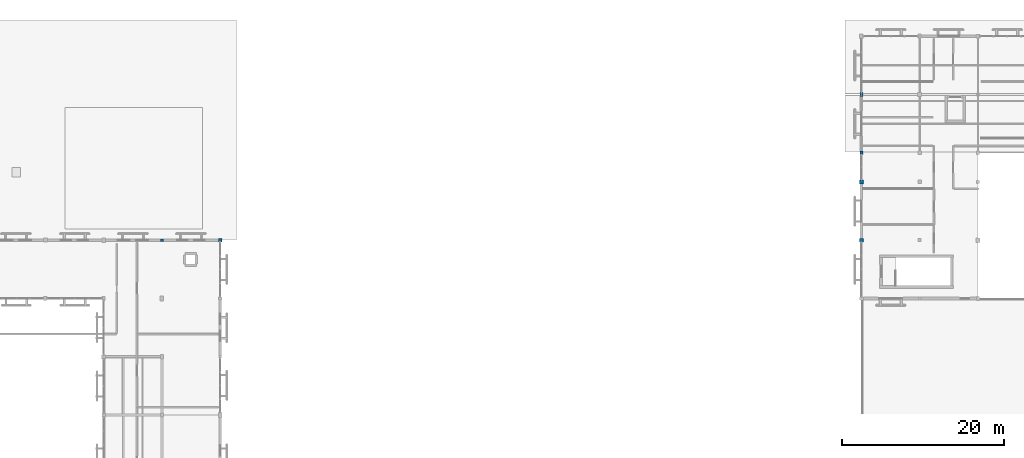
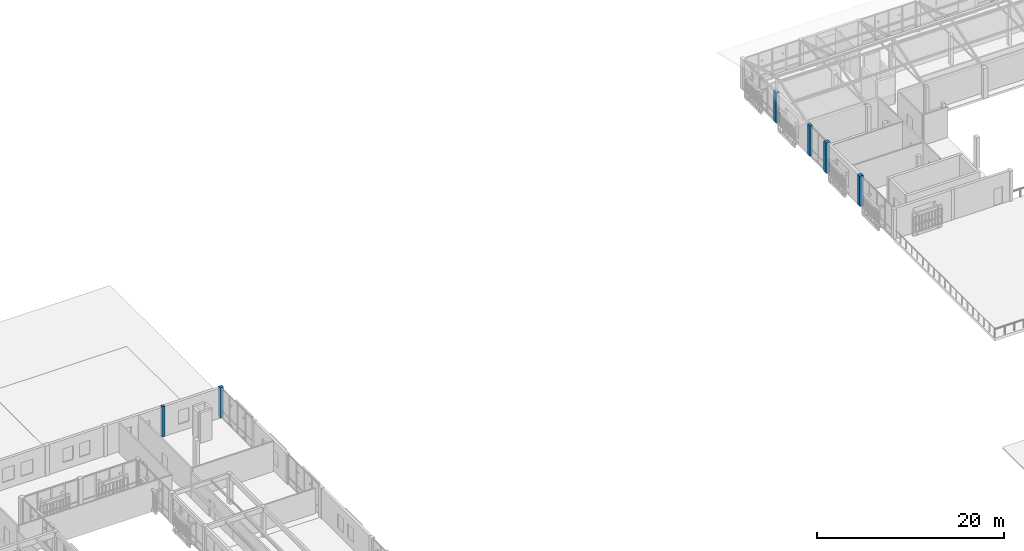
# One storey, part 3 of 61: 6 columns.
"""IFC4 building model written with IfcOpenShell, lengths in metres."""

import ifcopenshell
import ifcopenshell.guid

model = None  # the IFC model being written
_history = None  # IfcOwnerHistory: only IFC2X3 demands one
_inside = {}  # id of a spatial element -> (the spatial element, [elements in it])
_under = {}  # id of a project, library or spatial element -> (it, [spatial elements below it])
_declared = {}  # id of a project -> (the project, [libraries it declares])
_typed = {}  # id of a type object -> (the type object, [elements of that type])
_made_of = {}  # id of a material, layer set ... -> (it, [elements and type objects made of it])


def new_model(schema):
    """Start an empty IFC model of exactly this schema.

    Asked for "IFC4X3", IfcOpenShell would pick the latest addendum, in which some entities
    have other attributes; the version numbers below select the first issue.
    IFC2X3 requires an IfcOwnerHistory on every rooted entity: one is made here for all.
    """
    global model, _history
    if schema == "IFC4X3":
        model = ifcopenshell.file(schema_version=(4, 3, 0, 0))
    else:
        model = ifcopenshell.file(schema=schema)
    _inside.clear()
    _under.clear()
    _declared.clear()
    _typed.clear()
    _made_of.clear()
    _history = None
    if model.schema == "IFC2X3":
        org = make("IfcOrganization", Name="unknown")
        user = make(
            "IfcPersonAndOrganization",
            ThePerson=make("IfcPerson", FamilyName="unknown"),
            TheOrganization=org,
        )
        app = make(
            "IfcApplication",
            ApplicationDeveloper=org,
            Version="unknown",
            ApplicationFullName="unknown",
            ApplicationIdentifier="unknown",
        )
        _history = make(
            "IfcOwnerHistory",
            OwningUser=user,
            OwningApplication=app,
            ChangeAction="ADDED",
            CreationDate=0,
        )
    return model


def make(cls, **values):
    """One entity of the class cls with the attributes given. An attribute that is None is left unset."""
    return model.create_entity(
        cls, **{name: value for name, value in values.items() if value is not None}
    )


def rooted(cls, **values):
    """An entity with a GlobalId (a new one), such as an element, a storey or a relation."""
    return make(cls, GlobalId=ifcopenshell.guid.new(), OwnerHistory=_history, **values)


def si_unit(unit_type, name, prefix=None):
    """IfcSIUnit, for example si_unit("LENGTHUNIT", "METRE", prefix="MILLI")."""
    return make("IfcSIUnit", UnitType=unit_type, Prefix=prefix, Name=name)


def assignment(units):
    """IfcUnitAssignment: the units of a project."""
    return None if units is None else make("IfcUnitAssignment", Units=units)


def point(xyz):
    """IfcCartesianPoint."""
    return None if xyz is None else make("IfcCartesianPoint", Coordinates=xyz)


def direction(xyz):
    """IfcDirection."""
    return None if xyz is None else make("IfcDirection", DirectionRatios=xyz)


def frame(location, z_axis=None, x_axis=None):
    """IfcAxis2Placement3D, a coordinate frame: its origin and axes. An axis left out is left unset."""
    return make(
        "IfcAxis2Placement3D",
        Location=point(location),
        Axis=direction(z_axis),
        RefDirection=direction(x_axis),
    )


def frame_2d(location, x_axis=None):
    """IfcAxis2Placement2D, a coordinate frame in the plane: its origin and x axis."""
    return make(
        "IfcAxis2Placement2D", Location=point(location), RefDirection=direction(x_axis)
    )


def origin():
    """The frame at (0, 0, 0) with its axes left unset."""
    return frame((0.0, 0.0, 0.0))


def origin_2d():
    """The frame at (0, 0) in the plane with its x axis left unset."""
    return frame_2d((0.0, 0.0))


def place(relative_to, where):
    """IfcLocalPlacement: puts the frame where relative to a parent placement (None: the world)."""
    return make(
        "IfcLocalPlacement", PlacementRelTo=relative_to, RelativePlacement=where
    )


def context(
    kind, dimensions, precision=None, world=None, true_north=None, identifier=None
):
    """IfcGeometricRepresentationContext, for example the 3D "Model" context."""
    return make(
        "IfcGeometricRepresentationContext",
        ContextIdentifier=identifier,
        ContextType=kind,
        CoordinateSpaceDimension=dimensions,
        Precision=precision,
        WorldCoordinateSystem=world,
        TrueNorth=true_north,
    )


def subcontext(parent, identifier, kind, view, scale=None):
    """IfcGeometricRepresentationSubContext, for example "Body" below "Model"."""
    return make(
        "IfcGeometricRepresentationSubContext",
        ContextIdentifier=identifier,
        ContextType=kind,
        ParentContext=parent,
        TargetScale=scale,
        TargetView=view,
    )


def project(units=None, contexts=None):
    """IfcProject with its units and contexts."""
    return rooted(
        "IfcProject",
        Name="project",
        RepresentationContexts=contexts,
        UnitsInContext=assignment(units),
    )


def spatial(cls, under=None, at=None, **own):
    """A site, building, storey or space (cls), placed at a placement, below another one or the project."""
    s = rooted(cls, ObjectPlacement=at, **own)
    if under is not None:
        _under.setdefault(under.id(), (under, []))[1].append(s)
    return s


def profile(cls, at=None, kind="AREA", **sizes):
    """A parametric profile (cls). Its sizes go by their IFC names, for example OverallWidth=200.0."""
    return make(cls, ProfileType=kind, Position=at, **sizes)


def rectangle(**sizes):
    """IfcRectangleProfileDef."""
    return profile("IfcRectangleProfileDef", **sizes)


def extrude(swept, where, along, depth):
    """IfcExtrudedAreaSolid: the profile swept, set in the frame where, extruded along a direction by depth."""
    return make(
        "IfcExtrudedAreaSolid",
        SweptArea=swept,
        Position=where,
        ExtrudedDirection=direction(along),
        Depth=depth,
    )


def shape(context_of_items, identifier, shape_type, items):
    """IfcShapeRepresentation: the items that make up one representation, for example the "Body"."""
    return make(
        "IfcShapeRepresentation",
        ContextOfItems=context_of_items,
        RepresentationIdentifier=identifier,
        RepresentationType=shape_type,
        Items=items,
    )


def material(Name=None, Category=None):
    """IfcMaterial."""
    return make("IfcMaterial", Name=Name, Category=Category)


def material_profile(
    of_material, cross_section, Name=None, Category=None, Priority=None
):
    """IfcMaterialProfile: a cross section and its material."""
    return make(
        "IfcMaterialProfile",
        Name=Name,
        Material=of_material,
        Profile=cross_section,
        Priority=Priority,
        Category=Category,
    )


def profile_set(profiles, Name=None, composite=None):
    """IfcMaterialProfileSet."""
    return make(
        "IfcMaterialProfileSet",
        Name=Name,
        MaterialProfiles=profiles,
        CompositeProfile=composite,
    )


def made_of(thing, what):
    """Note that an element or type object is made of a material, layer set ...; save() writes the relation."""
    if what is not None:
        _made_of.setdefault(what.id(), (what, []))[1].append(thing)
    return thing


def type_object(cls, material=None, **own):
    """A type object (cls), such as IfcWallType, which elements share."""
    return made_of(rooted(cls, **own), material)


def element(
    cls,
    number,
    at=None,
    inside=None,
    cuts=None,
    type_object=None,
    material=None,
    context=None,
    identifier="Body",
    shape_type=None,
    held_by="IfcProductDefinitionShape",
    body=None,
    shapes=None,
    **own,
):
    """One element of the class cls, such as IfcWall. Its Tag is "e" and its number.

    at: its placement. inside: the storey or other place that contains it. cuts: it is an
    opening in that element (IfcRelVoidsElement). A single representation is given by context,
    identifier, shape_type and body (its items); several are given by shapes. held_by: the class
    of the entity that holds the representations. save() writes the other relations.
    """
    e = rooted(cls, Tag="e%d" % number, ObjectPlacement=at, **own)
    if body is not None:
        shapes = [shape(context, identifier, shape_type, body)]
    if shapes is not None:
        e.Representation = make(held_by, Representations=shapes)
    if inside is not None:
        _inside.setdefault(inside.id(), (inside, []))[1].append(e)
    if cuts is not None:
        rooted(
            "IfcRelVoidsElement", RelatingBuildingElement=cuts, RelatedOpeningElement=e
        )
    if type_object is not None:
        _typed.setdefault(type_object.id(), (type_object, []))[1].append(e)
    return made_of(e, material)


def aggregate(whole, parts):
    """IfcRelAggregates: a whole, such as a stair, and the parts it consists of."""
    return rooted("IfcRelAggregates", RelatingObject=whole, RelatedObjects=parts)


def save(model, path):
    """Write the relations noted so far, then the file.

    IfcRelAggregates (storeys below a building ...), IfcRelContainedInSpatialStructure (elements
    in a storey), IfcRelDefinesByType, IfcRelAssociatesMaterial and IfcRelDeclares: one each for
    every whole, place, type object, material and project.
    """
    for whole, parts in _under.values():
        aggregate(whole, parts)
    for where, things in _inside.values():
        rooted(
            "IfcRelContainedInSpatialStructure",
            RelatedElements=things,
            RelatingStructure=where,
        )
    for kind, things in _typed.values():
        rooted("IfcRelDefinesByType", RelatedObjects=things, RelatingType=kind)
    for what, things in _made_of.values():
        rooted("IfcRelAssociatesMaterial", RelatedObjects=things, RelatingMaterial=what)
    for by, libraries in _declared.values():
        rooted("IfcRelDeclares", RelatingContext=by, RelatedDefinitions=libraries)
    model.write(path)


model = new_model("IFC4")

# Units and contexts
model_context = context("Model", 3, precision=1e-05, world=origin(), true_north=direction((0.0, 1.0)))
body_context = subcontext(model_context, "Body", "Model", "MODEL_VIEW")
ifc_project = project(units=[si_unit("LENGTHUNIT", "METRE"), si_unit("AREAUNIT", "SQUARE_METRE"), si_unit("VOLUMEUNIT", "CUBIC_METRE"), si_unit("PLANEANGLEUNIT", "RADIAN"), si_unit("MASSUNIT", "GRAM", prefix="KILO")], contexts=[model_context])

# Site, building, storey
site_placement = place(None, origin())
site = spatial("IfcSite", under=ifc_project, at=site_placement, CompositionType="ELEMENT")
building_placement = place(site_placement, origin())
building = spatial("IfcBuilding", under=site, at=building_placement, Name="Mazaris Harbour Polytechnic", CompositionType="ELEMENT")
storey_placement = place(building_placement, frame((0.0, 0.0, 18.0)))
storey = spatial("IfcBuildingStorey", under=building, at=storey_placement, Name="L04", CompositionType="ELEMENT", Elevation=18.0)

# Columns
ifc_material_1 = material(Name="Glulam GL28h", Category="wood")
ifc_material_profile_1 = material_profile(ifc_material_1, rectangle(XDim=0.340087890625, YDim=0.340087890625, at=origin_2d()), Name="RECT340x340")
ifc_profile_set_1 = profile_set([ifc_material_profile_1], Name="Glulam GL28h")
column_type_1 = type_object("IfcColumnType", Name="Glulam Column 340x340 Exterior", PredefinedType="COLUMN", material=ifc_profile_set_1)
column_1_placement = place(storey_placement, frame((36.0, 75.60009765625, 0.0), z_axis=(0.0, 0.0, 1.0), x_axis=(1.0, 0.0, 0.0)))
element("IfcColumn", 1, at=column_1_placement, inside=storey, type_object=column_type_1, Name="V4 L04 Column 1048", PredefinedType="COLUMN", context=body_context, shape_type="SweptSolid", body=[
    extrude(rectangle(XDim=0.340087890625, YDim=0.340087890625, at=origin_2d()), origin(), (0.0, 0.0, 1.0), 3.9599609375),
])
ifc_material_2 = material(Name="Glulam GL28h", Category="wood")
ifc_material_profile_2 = material_profile(ifc_material_2, rectangle(XDim=0.360107421875, YDim=0.47998046875, at=origin_2d()), Name="RECT360x480")
ifc_profile_set_2 = profile_set([ifc_material_profile_2], Name="Glulam GL28h")
column_type_2 = type_object("IfcColumnType", Name="Glulam Column 360x480 Exterior", PredefinedType="COLUMN", material=ifc_profile_set_2)
column_2_placement = place(storey_placement, frame((122.39990234375, 86.39990234375, 0.0), z_axis=(0.0, 0.0, 1.0), x_axis=(1.0, 0.0, 0.0)))
element("IfcColumn", 2, at=column_2_placement, inside=storey, type_object=column_type_2, Name="V5 L04 Column 1469", PredefinedType="COLUMN", context=body_context, shape_type="SweptSolid", body=[
    extrude(rectangle(XDim=0.360107421875, YDim=0.47998046875, at=origin_2d()), origin(), (0.0, 0.0, 1.0), 3.9599609375),
])
ifc_material_3 = material(Name="Glulam GL28h", Category="wood")
ifc_material_profile_3 = material_profile(ifc_material_3, rectangle(XDim=0.39990234375, YDim=0.5400390625, at=origin_2d()), Name="RECT400x540")
ifc_profile_set_3 = profile_set([ifc_material_profile_3], Name="Glulam GL28h")
column_type_3 = type_object("IfcColumnType", Name="Glulam Column 400x540 Exterior", PredefinedType="COLUMN", material=ifc_profile_set_3)
column_3_placement = place(storey_placement, frame((122.39990234375, 93.60009765625, 0.0), z_axis=(0.0, 0.0, 1.0), x_axis=(1.0, 0.0, 0.0)))
element("IfcColumn", 3, at=column_3_placement, inside=storey, type_object=column_type_3, Name="V5 L04 Column 1470", PredefinedType="COLUMN", context=body_context, shape_type="SweptSolid", body=[
    extrude(rectangle(XDim=0.39990234375, YDim=0.5400390625, at=origin_2d()), origin(), (0.0, 0.0, 1.0), 3.9599609375),
])
ifc_material_4 = material(Name="Glulam GL28h", Category="wood")
ifc_material_profile_4 = material_profile(ifc_material_4, rectangle(XDim=0.419921875, YDim=0.419921875, at=origin_2d()), Name="RECT420x420")
ifc_profile_set_4 = profile_set([ifc_material_profile_4], Name="Glulam GL28h")
column_type_4 = type_object("IfcColumnType", Name="Glulam Column 420x420 Exterior", PredefinedType="COLUMN", material=ifc_profile_set_4)
column_4_placement = place(storey_placement, frame((43.199951171875, 75.60009765625, 0.0), z_axis=(0.0, 0.0, 1.0), x_axis=(1.0, 0.0, 0.0)))
element("IfcColumn", 4, at=column_4_placement, inside=storey, type_object=column_type_4, Name="V4 L04 Column 1058", PredefinedType="COLUMN", context=body_context, shape_type="SweptSolid", body=[
    extrude(rectangle(XDim=0.419921875, YDim=0.419921875, at=origin_2d()), origin(), (0.0, 0.0, 1.0), 3.9599609375),
])
ifc_material_5 = material(Name="Glulam GL28h", Category="wood")
ifc_material_profile_5 = material_profile(ifc_material_5, rectangle(XDim=0.4599609375, YDim=0.4599609375, at=origin_2d()), Name="RECT460x460")
ifc_profile_set_5 = profile_set([ifc_material_profile_5], Name="Glulam GL28h")
column_type_5 = type_object("IfcColumnType", Name="Glulam Column 460x460 Exterior", PredefinedType="COLUMN", material=ifc_profile_set_5)
column_5_placement = place(storey_placement, frame((122.39990234375, 75.60009765625, 0.0), z_axis=(0.0, 0.0, 1.0), x_axis=(1.0, 0.0, 0.0)))
element("IfcColumn", 5, at=column_5_placement, inside=storey, type_object=column_type_5, Name="V5 L04 Column 1467", PredefinedType="COLUMN", context=body_context, shape_type="SweptSolid", body=[
    extrude(rectangle(XDim=0.4599609375, YDim=0.4599609375, at=origin_2d()), origin(), (0.0, 0.0, 1.0), 3.9599609375),
])
ifc_material_6 = material(Name="Glulam GL28h", Category="wood")
ifc_material_profile_6 = material_profile(ifc_material_6, rectangle(XDim=0.5, YDim=0.5, at=origin_2d()), Name="RECT500x500")
ifc_profile_set_6 = profile_set([ifc_material_profile_6], Name="Glulam GL28h")
column_type_6 = type_object("IfcColumnType", Name="Glulam Column 500x500 Exterior", PredefinedType="COLUMN", material=ifc_profile_set_6)
column_6_placement = place(storey_placement, frame((122.39990234375, 82.800048828125, 0.0), z_axis=(0.0, 0.0, 1.0), x_axis=(1.0, 0.0, 0.0)))
element("IfcColumn", 6, at=column_6_placement, inside=storey, type_object=column_type_6, Name="V5 L04 Column 1468", PredefinedType="COLUMN", context=body_context, shape_type="SweptSolid", body=[
    extrude(rectangle(XDim=0.5, YDim=0.5, at=origin_2d()), origin(), (0.0, 0.0, 1.0), 3.9599609375),
])

save(model, "model.ifc")
